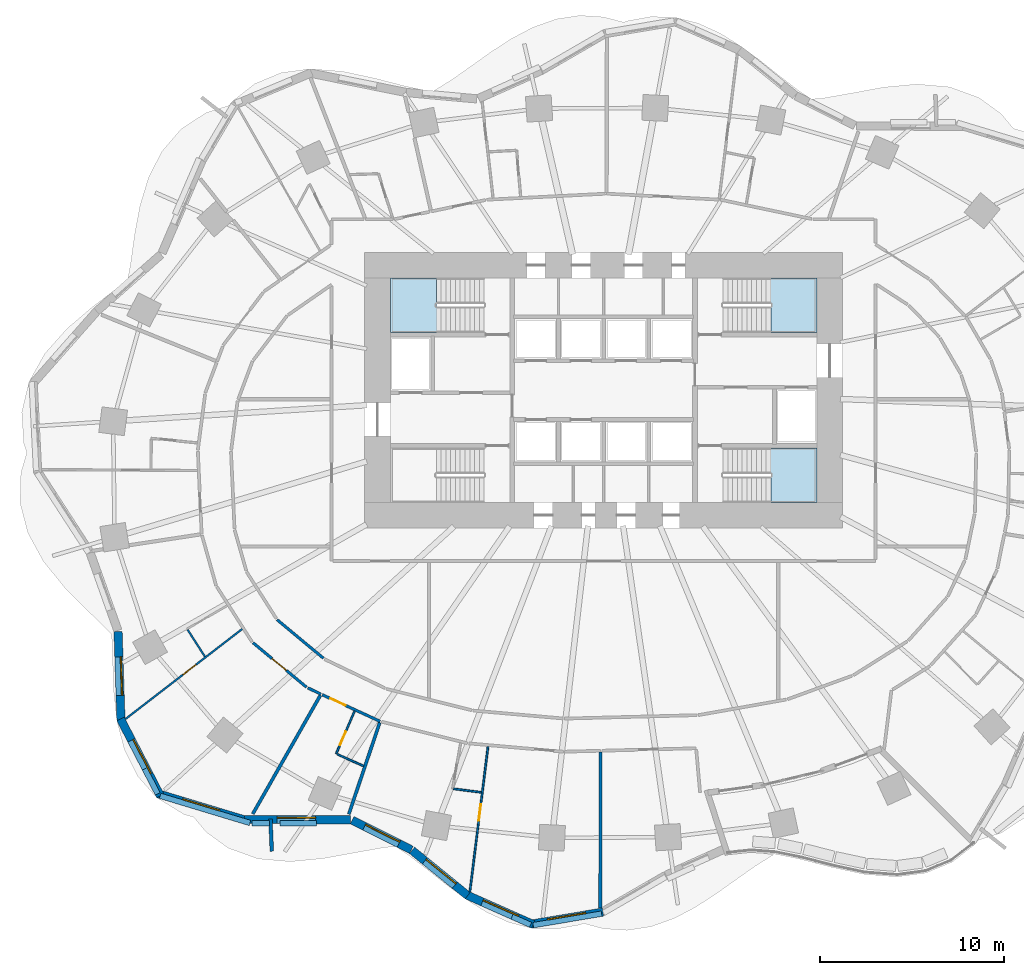
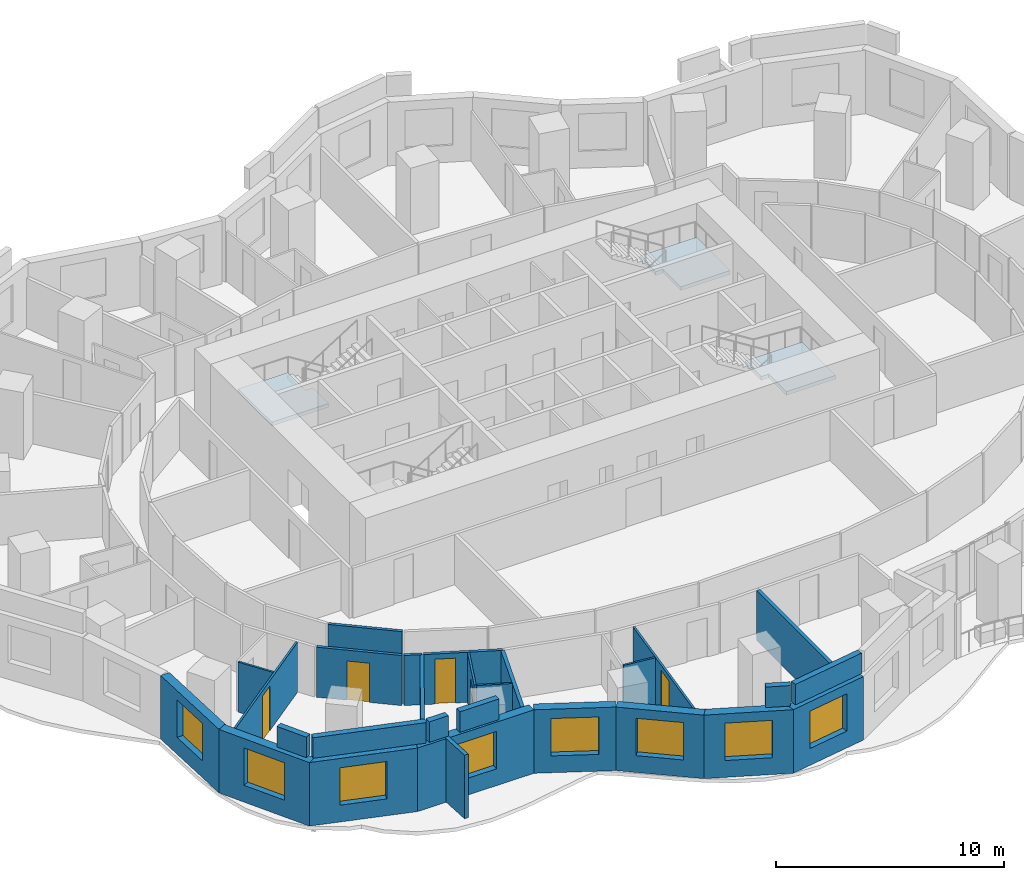
# One storey, part 4 of 14: 28 walls, 8 windows, 5 doors, 3 slabs, 13 openings, 3 elements without a shape of their own.
"""IFC4 building model written with IfcOpenShell, lengths in metres."""

from ifc_helpers import new_model, si_unit, direction, frame, frame_2d, origin, place, context, subcontext, project, spatial, polyline, rectangle, outline, extrude, material, layer, layer_set, type_object, element, fill, aggregate, save


model = new_model("IFC4")

# Units and contexts
model_context = context("Model", 3, precision=1e-05, world=origin(), true_north=direction((0.0, 1.0)))
body_context = subcontext(model_context, "Body", "Model", "MODEL_VIEW")
ifc_project = project(units=[si_unit("LENGTHUNIT", "METRE"), si_unit("AREAUNIT", "SQUARE_METRE"), si_unit("VOLUMEUNIT", "CUBIC_METRE"), si_unit("PLANEANGLEUNIT", "RADIAN"), si_unit("MASSUNIT", "GRAM", prefix="KILO")], contexts=[model_context])

# Site, building, storey
site_placement = place(None, origin())
site = spatial("IfcSite", under=ifc_project, at=site_placement, CompositionType="ELEMENT")
building_placement = place(site_placement, origin())
building = spatial("IfcBuilding", under=site, at=building_placement, Name="Rubra Terraces Tower", CompositionType="ELEMENT")
storey_placement = place(building_placement, frame((0.0, 0.0, 44.699951171875)))
storey = spatial("IfcBuildingStorey", under=building, at=storey_placement, Name="L08", CompositionType="ELEMENT", Elevation=44.699951171875)

# Stair, slab
ifc_material_1 = material(Name="Concrete C40", Category="concrete")
stair_type = type_object("IfcStairType", Name="Core stair 1400", PredefinedType="HALF_TURN_STAIR", material=ifc_material_1)
stair_1_placement = place(storey_placement, origin())
stair_1 = element("IfcStair", 1, at=stair_1_placement, inside=storey, type_object=stair_type, Name="L08 Exit stair S2", PredefinedType="HALF_TURN_STAIR")
ifc_layer_1 = layer(ifc_material_1, 0.199951171875)
ifc_layer_set_1 = layer_set([ifc_layer_1], Name="Concrete C40")
slab_type = type_object("IfcSlabType", Name="Core stair landing 200", PredefinedType="LANDING", material=ifc_layer_set_1)
slab_1_placement = place(storey_placement, frame((0.0, 0.0, 1.60009765625)))
slab_1 = element("IfcSlab", 2, at=slab_1_placement, type_object=slab_type, Name="S2 landing 1", PredefinedType="LANDING", context=body_context, shape_type="SweptSolid", body=[
    extrude(outline(polyline([(-8.719970703125, 9.050048828125), (-8.719970703125, 7.64990234375), (-9.1201171875, 7.64990234375), (-11.60009765625, 7.64990234375), (-11.60009765625, 10.60009765625), (-9.1201171875, 10.60009765625), (-9.10009765625, 10.60009765625), (-9.097900390625, 10.60009765625), (-9.097900390625, 9.199951171875), (-9.10009765625, 9.199951171875), (-9.10009765625, 9.050048828125), (-8.719970703125, 9.050048828125)])), origin(), (0.0, 0.0, 1.0), 0.199951171875),
])
aggregate(stair_1, [slab_1])

stair_2_placement = place(storey_placement, origin())
stair_2 = element("IfcStair", 3, at=stair_2_placement, inside=storey, type_object=stair_type, Name="L08 Exit stair S3", PredefinedType="HALF_TURN_STAIR")
slab_2_placement = place(storey_placement, frame((0.0, 0.0, 1.60009765625)))
slab_2 = element("IfcSlab", 4, at=slab_2_placement, type_object=slab_type, Name="S3 landing 1", PredefinedType="LANDING", context=body_context, shape_type="SweptSolid", body=[
    extrude(outline(polyline([(9.10009765625, 9.050048828125), (9.10009765625, 9.199951171875), (8.719970703125, 9.199951171875), (8.719970703125, 10.60009765625), (9.10009765625, 10.60009765625), (9.1201171875, 10.60009765625), (11.60009765625, 10.60009765625), (11.60009765625, 7.64990234375), (9.1201171875, 7.64990234375), (9.097900390625, 7.64990234375), (9.097900390625, 9.050048828125), (9.10009765625, 9.050048828125)])), origin(), (0.0, 0.0, 1.0), 0.199951171875),
])
aggregate(stair_2, [slab_2])

stair_3_placement = place(storey_placement, origin())
stair_3 = element("IfcStair", 5, at=stair_3_placement, inside=storey, type_object=stair_type, Name="L08 Exit stair S4", PredefinedType="HALF_TURN_STAIR")
slab_3_placement = place(storey_placement, frame((0.0, 0.0, 1.60009765625)))
slab_3 = element("IfcSlab", 6, at=slab_3_placement, type_object=slab_type, Name="S4 landing 1", PredefinedType="LANDING", context=body_context, shape_type="SweptSolid", body=[
    extrude(outline(polyline([(9.10009765625, -0.199951171875), (9.10009765625, -0.050048828125), (8.719970703125, -0.050048828125), (8.719970703125, 1.35009765625), (9.10009765625, 1.35009765625), (9.1201171875, 1.35009765625), (11.60009765625, 1.35009765625), (11.60009765625, -1.60009765625), (9.1201171875, -1.60009765625), (9.10009765625, -1.60009765625), (9.097900390625, -1.60009765625), (9.097900390625, -0.199951171875), (9.10009765625, -0.199951171875)])), origin(), (0.0, 0.0, 1.0), 0.199951171875),
])
aggregate(stair_3, [slab_3])

# Walls
ifc_material_2 = material(Name="Twin plasterboard on staggered steel stud, acoustic mineral wool", Category="steel")
ifc_layer_2 = layer(ifc_material_2, 0.175048828125)
ifc_layer_set_2 = layer_set([ifc_layer_2], Name="Twin plasterboard on staggered steel stud, acoustic mineral wool")
wall_type_1 = type_object("IfcWallType", Name="ACOUSTIC PARTY WALL 175", PredefinedType="PARTITIONING", material=ifc_layer_set_2)
wall_1_placement = place(storey_placement, frame((-19.08642578125, -18.5546875, 0.0), z_axis=(0.0, 0.0, 1.0), x_axis=(0.49517498555, 0.868793262914, 0.0)))
element("IfcWall", 7, at=wall_1_placement, inside=storey, type_object=wall_type_1, Name="PARTITION", PredefinedType="PARTITIONING", context=body_context, shape_type="SweptSolid", body=[
    extrude(rectangle(XDim=7.421142578125, YDim=0.175048828125, at=frame_2d((3.71044921875, 0.0))), origin(), (0.0, 0.0, 1.0), 2.679931640625),
])
wall_2_placement = place(storey_placement, frame((-13.86279296875, -18.57177734375, 0.0), z_axis=(0.0, 0.0, 1.0), x_axis=(0.32028005449, 0.947322905189, 0.0)))
element("IfcWall", 8, at=wall_2_placement, inside=storey, type_object=wall_type_1, Name="PARTITION", PredefinedType="PARTITIONING", context=body_context, shape_type="SweptSolid", body=[
    extrude(rectangle(XDim=5.255859375, YDim=0.175048828125, at=frame_2d((2.6279296875, 0.0))), origin(), (0.0, 0.0, 1.0), 2.679931640625),
])
wall_3_placement = place(storey_placement, frame((-0.17919921875, -23.686767578125, 0.0), z_axis=(0.0, 0.0, 1.0), x_axis=(0.001753677156, 0.999998462307, 0.0)))
element("IfcWall", 9, at=wall_3_placement, inside=storey, type_object=wall_type_1, Name="PARTITION", PredefinedType="PARTITIONING", context=body_context, shape_type="SweptSolid", body=[
    extrude(rectangle(XDim=8.4921875, YDim=0.175048828125, at=frame_2d((4.24609375, 0.0))), origin(), (0.0, 0.0, 1.0), 2.679931640625),
])

# Wall, opening, window
ifc_material_3 = material(Name="Brick masonry red-brown", Category="masonry")
ifc_layer_3 = layer(ifc_material_3, 0.449951171875)
ifc_layer_set_3 = layer_set([ifc_layer_3], Name="Brick masonry red-brown")
wall_type_2 = type_object("IfcWallType", Name="Brick facade wall 450", PredefinedType="SOLIDWALL", material=ifc_layer_set_3)
wall_4_placement = place(storey_placement, frame((-26.416015625, -8.6376953125, 0.0), z_axis=(0.0, 0.0, 1.0), x_axis=(0.03254979302, -0.999470115098, 0.0)))
wall_4 = element("IfcWall", 10, at=wall_4_placement, inside=storey, type_object=wall_type_2, Name="Facade wall L08 bay 23", PredefinedType="SOLIDWALL", context=body_context, shape_type="SweptSolid", body=[
    extrude(rectangle(XDim=4.845458984375, YDim=0.449951171875, at=frame_2d((2.4228515625, 0.0))), origin(), (0.0, 0.0, 1.0), 3.400146484375),
])
opening_1_placement = place(wall_4_placement, frame((1.37255859375, 0.0, 0.89990234375)))
opening_1 = element("IfcOpeningElement", 11, at=opening_1_placement, cuts=wall_4, Name="Opening W1", PredefinedType="OPENING", context=body_context, shape_type="SweptSolid", body=[
    extrude(rectangle(XDim=2.10009765625, YDim=2.0, at=frame_2d((1.050048828125, 1.0))), frame((0.0, 0.23486328125, 0.0), z_axis=(0.0, -1.0, 0.0), x_axis=(1.0, 0.0, 0.0)), (0.0, 0.0, 1.0), 0.469970703125),
])
ifc_material_4 = material(Name="Clear glass in aluminium frame", Category="aluminium")
window_type = type_object("IfcWindowType", Name="Fixed deep-set window 2100 x 2000", PartitioningType="SINGLE_PANEL", PredefinedType="WINDOW", material=ifc_material_4)
window_1_placement = place(opening_1_placement, origin())
window_1 = element("IfcWindow", 12, at=window_1_placement, inside=storey, type_object=window_type, Name="Window L08 bay 23", OverallHeight=2.0, OverallWidth=2.10009765625, PartitioningType="SINGLE_PANEL", PredefinedType="WINDOW", context=body_context, shape_type="SweptSolid", body=[
    extrude(rectangle(XDim=2.10009765625, YDim=2.0, at=frame_2d((1.050048828125, 1.0))), frame((0.0, 0.135009765625, 0.0), z_axis=(0.0, -1.0, 0.0), x_axis=(1.0, 0.0, 0.0)), (0.0, 0.0, 1.0), 0.06005859375),
])
fill(opening_1, window_1)

wall_5_placement = place(storey_placement, frame((-26.283203125, -13.390625, 0.0), z_axis=(0.0, 0.0, 1.0), x_axis=(0.459485057932, -0.888185499509, 0.0)))
wall_5 = element("IfcWall", 13, at=wall_5_placement, inside=storey, type_object=wall_type_2, Name="Facade wall L08 bay 24", PredefinedType="SOLIDWALL", context=body_context, shape_type="SweptSolid", body=[
    extrude(rectangle(XDim=4.702880859375, YDim=0.449951171875, at=frame_2d((2.3515625, 0.0))), origin(), (0.0, 0.0, 1.0), 3.400146484375),
])
opening_2_placement = place(wall_5_placement, frame((1.301513671875, 0.0, 0.89990234375)))
opening_2 = element("IfcOpeningElement", 14, at=opening_2_placement, cuts=wall_5, Name="Opening W1", PredefinedType="OPENING", context=body_context, shape_type="SweptSolid", body=[
    extrude(rectangle(XDim=2.10009765625, YDim=2.0, at=frame_2d((1.050048828125, 1.0))), frame((0.0, 0.23486328125, 0.0), z_axis=(0.0, -1.0, 0.0), x_axis=(1.0, 0.0, 0.0)), (0.0, 0.0, 1.0), 0.469970703125),
])
window_2_placement = place(opening_2_placement, origin())
window_2 = element("IfcWindow", 15, at=window_2_placement, inside=storey, type_object=window_type, Name="Window L08 bay 24", OverallHeight=2.0, OverallWidth=2.10009765625, PartitioningType="SINGLE_PANEL", PredefinedType="WINDOW", context=body_context, shape_type="SweptSolid", body=[
    extrude(rectangle(XDim=2.10009765625, YDim=2.0, at=frame_2d((1.050048828125, 1.0))), frame((0.0, 0.135009765625, 0.0), z_axis=(0.0, -1.0, 0.0), x_axis=(1.0, 0.0, 0.0)), (0.0, 0.0, 1.0), 0.06005859375),
])
fill(opening_2, window_2)

wall_6_placement = place(storey_placement, frame((-24.2568359375, -17.45556640625, 0.0), z_axis=(0.0, 0.0, 1.0), x_axis=(0.957268138294, -0.289201852359, 0.0)))
wall_6 = element("IfcWall", 16, at=wall_6_placement, inside=storey, type_object=wall_type_2, Name="Facade wall L08 bay 25", PredefinedType="SOLIDWALL", context=body_context, shape_type="SweptSolid", body=[
    extrude(rectangle(XDim=4.87939453125, YDim=0.449951171875, at=frame_2d((2.439697265625, 0.0))), origin(), (0.0, 0.0, 1.0), 3.400146484375),
])
opening_3_placement = place(wall_6_placement, frame((1.3896484375, 0.0, 0.89990234375)))
opening_3 = element("IfcOpeningElement", 17, at=opening_3_placement, cuts=wall_6, Name="Opening W1", PredefinedType="OPENING", context=body_context, shape_type="SweptSolid", body=[
    extrude(rectangle(XDim=2.10009765625, YDim=2.0, at=frame_2d((1.050048828125, 1.0))), frame((0.0, 0.23486328125, 0.0), z_axis=(0.0, -1.0, 0.0), x_axis=(1.0, 0.0, 0.0)), (0.0, 0.0, 1.0), 0.469970703125),
])
window_3_placement = place(opening_3_placement, origin())
window_3 = element("IfcWindow", 18, at=window_3_placement, inside=storey, type_object=window_type, Name="Window L08 bay 25", OverallHeight=2.0, OverallWidth=2.10009765625, PartitioningType="SINGLE_PANEL", PredefinedType="WINDOW", context=body_context, shape_type="SweptSolid", body=[
    extrude(rectangle(XDim=2.10009765625, YDim=2.0, at=frame_2d((1.050048828125, 1.0))), frame((0.0, 0.135009765625, 0.0), z_axis=(0.0, -1.0, 0.0), x_axis=(1.0, 0.0, 0.0)), (0.0, 0.0, 1.0), 0.06005859375),
])
fill(opening_3, window_3)

wall_7_placement = place(storey_placement, frame((-19.650390625, -18.85693359375, 0.0), z_axis=(0.0, 0.0, 1.0), x_axis=(0.999994750773, -0.003240127552, 0.0)))
wall_7 = element("IfcWall", 19, at=wall_7_placement, inside=storey, type_object=wall_type_2, Name="Facade wall L08 bay 26", PredefinedType="SOLIDWALL", context=body_context, shape_type="SweptSolid", body=[
    extrude(rectangle(XDim=5.877197265625, YDim=0.449951171875, at=frame_2d((2.9384765625, 0.0))), origin(), (0.0, 0.0, 1.0), 3.400146484375),
])
opening_4_placement = place(wall_7_placement, frame((1.888671875, 0.0, 0.89990234375)))
opening_4 = element("IfcOpeningElement", 20, at=opening_4_placement, cuts=wall_7, Name="Opening W1", PredefinedType="OPENING", context=body_context, shape_type="SweptSolid", body=[
    extrude(rectangle(XDim=2.10009765625, YDim=2.0, at=frame_2d((1.050048828125, 1.0))), frame((0.0, 0.23486328125, 0.0), z_axis=(0.0, -1.0, 0.0), x_axis=(1.0, 0.0, 0.0)), (0.0, 0.0, 1.0), 0.469970703125),
])
window_4_placement = place(opening_4_placement, origin())
window_4 = element("IfcWindow", 21, at=window_4_placement, inside=storey, type_object=window_type, Name="Window L08 bay 26", OverallHeight=2.0, OverallWidth=2.10009765625, PartitioningType="SINGLE_PANEL", PredefinedType="WINDOW", context=body_context, shape_type="SweptSolid", body=[
    extrude(rectangle(XDim=2.10009765625, YDim=2.0, at=frame_2d((1.050048828125, 1.0))), frame((0.0, 0.135009765625, 0.0), z_axis=(0.0, -1.0, 0.0), x_axis=(1.0, 0.0, 0.0)), (0.0, 0.0, 1.0), 0.06005859375),
])
fill(opening_4, window_4)

wall_8_placement = place(storey_placement, frame((-13.6787109375, -18.897216796875, 0.0), z_axis=(0.0, 0.0, 1.0), x_axis=(0.893502471356, -0.449058274259, 0.0)))
wall_8 = element("IfcWall", 22, at=wall_8_placement, inside=storey, type_object=wall_type_2, Name="Facade wall L08 bay 27", PredefinedType="SOLIDWALL", context=body_context, shape_type="SweptSolid", body=[
    extrude(rectangle(XDim=3.59814453125, YDim=0.449951171875, at=frame_2d((1.799072265625, 0.0))), origin(), (0.0, 0.0, 1.0), 3.400146484375),
])
opening_5_placement = place(wall_8_placement, frame((0.748779296875, 0.0, 0.89990234375)))
opening_5 = element("IfcOpeningElement", 23, at=opening_5_placement, cuts=wall_8, Name="Opening W1", PredefinedType="OPENING", context=body_context, shape_type="SweptSolid", body=[
    extrude(rectangle(XDim=2.10009765625, YDim=2.0, at=frame_2d((1.050048828125, 1.0))), frame((0.0, 0.23486328125, 0.0), z_axis=(0.0, -1.0, 0.0), x_axis=(1.0, 0.0, 0.0)), (0.0, 0.0, 1.0), 0.469970703125),
])
window_5_placement = place(opening_5_placement, origin())
window_5 = element("IfcWindow", 24, at=window_5_placement, inside=storey, type_object=window_type, Name="Window L08 bay 27", OverallHeight=2.0, OverallWidth=2.10009765625, PartitioningType="SINGLE_PANEL", PredefinedType="WINDOW", context=body_context, shape_type="SweptSolid", body=[
    extrude(rectangle(XDim=2.10009765625, YDim=2.0, at=frame_2d((1.050048828125, 1.0))), frame((0.0, 0.135009765625, 0.0), z_axis=(0.0, -1.0, 0.0), x_axis=(1.0, 0.0, 0.0)), (0.0, 0.0, 1.0), 0.06005859375),
])
fill(opening_5, window_5)

wall_9_placement = place(storey_placement, frame((-10.421875, -20.53857421875, 0.0), z_axis=(0.0, 0.0, 1.0), x_axis=(0.775999170522, -0.63073392754, 0.0)))
wall_9 = element("IfcWall", 25, at=wall_9_placement, inside=storey, type_object=wall_type_2, Name="Facade wall L08 bay 28", PredefinedType="SOLIDWALL", context=body_context, shape_type="SweptSolid", body=[
    extrude(rectangle(XDim=3.902587890625, YDim=0.449951171875, at=frame_2d((1.951171875, 0.0))), origin(), (0.0, 0.0, 1.0), 3.400146484375),
])
opening_6_placement = place(wall_9_placement, frame((0.901123046875, 0.0, 0.89990234375)))
opening_6 = element("IfcOpeningElement", 26, at=opening_6_placement, cuts=wall_9, Name="Opening W1", PredefinedType="OPENING", context=body_context, shape_type="SweptSolid", body=[
    extrude(rectangle(XDim=2.10009765625, YDim=2.0, at=frame_2d((1.050048828125, 1.0))), frame((0.0, 0.23486328125, 0.0), z_axis=(0.0, -1.0, 0.0), x_axis=(1.0, 0.0, 0.0)), (0.0, 0.0, 1.0), 0.469970703125),
])
window_6_placement = place(opening_6_placement, origin())
window_6 = element("IfcWindow", 27, at=window_6_placement, inside=storey, type_object=window_type, Name="Window L08 bay 28", OverallHeight=2.0, OverallWidth=2.10009765625, PartitioningType="SINGLE_PANEL", PredefinedType="WINDOW", context=body_context, shape_type="SweptSolid", body=[
    extrude(rectangle(XDim=2.10009765625, YDim=2.0, at=frame_2d((1.050048828125, 1.0))), frame((0.0, 0.135009765625, 0.0), z_axis=(0.0, -1.0, 0.0), x_axis=(1.0, 0.0, 0.0)), (0.0, 0.0, 1.0), 0.06005859375),
])
fill(opening_6, window_6)

wall_10_placement = place(storey_placement, frame((-7.439697265625, -22.972412109375, 0.0), z_axis=(0.0, 0.0, 1.0), x_axis=(0.914114918534, -0.405455195692, 0.0)))
wall_10 = element("IfcWall", 28, at=wall_10_placement, inside=storey, type_object=wall_type_2, Name="Facade wall L08 bay 29", PredefinedType="SOLIDWALL", context=body_context, shape_type="SweptSolid", body=[
    extrude(rectangle(XDim=3.94580078125, YDim=0.449951171875, at=frame_2d((1.972900390625, 0.0))), origin(), (0.0, 0.0, 1.0), 3.400146484375),
])
opening_7_placement = place(wall_10_placement, frame((0.923095703125, 0.0, 0.89990234375)))
opening_7 = element("IfcOpeningElement", 29, at=opening_7_placement, cuts=wall_10, Name="Opening W1", PredefinedType="OPENING", context=body_context, shape_type="SweptSolid", body=[
    extrude(rectangle(XDim=2.10009765625, YDim=2.0, at=frame_2d((1.050048828125, 1.0))), frame((0.0, 0.23486328125, 0.0), z_axis=(0.0, -1.0, 0.0), x_axis=(1.0, 0.0, 0.0)), (0.0, 0.0, 1.0), 0.469970703125),
])
window_7_placement = place(opening_7_placement, origin())
window_7 = element("IfcWindow", 30, at=window_7_placement, inside=storey, type_object=window_type, Name="Window L08 bay 29", OverallHeight=2.0, OverallWidth=2.10009765625, PartitioningType="SINGLE_PANEL", PredefinedType="WINDOW", context=body_context, shape_type="SweptSolid", body=[
    extrude(rectangle(XDim=2.10009765625, YDim=2.0, at=frame_2d((1.050048828125, 1.0))), frame((0.0, 0.135009765625, 0.0), z_axis=(0.0, -1.0, 0.0), x_axis=(1.0, 0.0, 0.0)), (0.0, 0.0, 1.0), 0.06005859375),
])
fill(opening_7, window_7)

wall_11_placement = place(storey_placement, frame((-3.96142578125, -24.55615234375, 0.0), z_axis=(0.0, 0.0, 1.0), x_axis=(0.986102211406, 0.166139786505, 0.0)))
wall_11 = element("IfcWall", 31, at=wall_11_placement, inside=storey, type_object=wall_type_2, Name="Facade wall L08 bay 30", PredefinedType="SOLIDWALL", context=body_context, shape_type="SweptSolid", body=[
    extrude(rectangle(XDim=3.9794921875, YDim=0.449951171875, at=frame_2d((1.98974609375, 0.0))), origin(), (0.0, 0.0, 1.0), 3.400146484375),
])
opening_8_placement = place(wall_11_placement, frame((0.939697265625, 0.0, 0.89990234375)))
opening_8 = element("IfcOpeningElement", 32, at=opening_8_placement, cuts=wall_11, Name="Opening W1", PredefinedType="OPENING", context=body_context, shape_type="SweptSolid", body=[
    extrude(rectangle(XDim=2.10009765625, YDim=2.0, at=frame_2d((1.050048828125, 1.0))), frame((0.0, 0.23486328125, 0.0), z_axis=(0.0, -1.0, 0.0), x_axis=(1.0, 0.0, 0.0)), (0.0, 0.0, 1.0), 0.469970703125),
])
window_8_placement = place(opening_8_placement, origin())
window_8 = element("IfcWindow", 33, at=window_8_placement, inside=storey, type_object=window_type, Name="Window L08 bay 30", OverallHeight=2.0, OverallWidth=2.10009765625, PartitioningType="SINGLE_PANEL", PredefinedType="WINDOW", context=body_context, shape_type="SweptSolid", body=[
    extrude(rectangle(XDim=2.10009765625, YDim=2.0, at=frame_2d((1.050048828125, 1.0))), frame((0.0, 0.135009765625, 0.0), z_axis=(0.0, -1.0, 0.0), x_axis=(1.0, 0.0, 0.0)), (0.0, 0.0, 1.0), 0.06005859375),
])
fill(opening_8, window_8)

# Walls
ifc_layer_4 = layer(ifc_material_3, 0.300048828125)
ifc_layer_set_4 = layer_set([ifc_layer_4], Name="Brick masonry red-brown")
wall_type_3 = type_object("IfcWallType", Name="Brick parapet 300", PredefinedType="PARAPET", material=ifc_layer_set_4)
wall_12_placement = place(storey_placement, frame((-24.96533203125, -16.100830078125, 3.60009765625), z_axis=(0.0, 0.0, 1.0), x_axis=(0.459461897951, -0.88819748048, 0.0)))
element("IfcWall", 34, at=wall_12_placement, inside=storey, type_object=wall_type_3, Name="Parapet L08 bay 24", PredefinedType="PARAPET", context=body_context, shape_type="SweptSolid", body=[
    extrude(rectangle(XDim=1.533447265625, YDim=0.300048828125, at=frame_2d((0.7666015625, 0.0))), origin(), (0.0, 0.0, 1.0), 1.099853515625),
])
wall_13_placement = place(storey_placement, frame((-24.12841796875, -17.57275390625, 3.60009765625), z_axis=(0.0, 0.0, 1.0), x_axis=(0.95727702005, -0.289172451806, 0.0)))
element("IfcWall", 35, at=wall_13_placement, inside=storey, type_object=wall_type_3, Name="Parapet L08 bay 25", PredefinedType="PARAPET", context=body_context, shape_type="SweptSolid", body=[
    extrude(rectangle(XDim=5.105224609375, YDim=0.300048828125, at=frame_2d((2.552734375, 0.0))), origin(), (0.0, 0.0, 1.0), 1.099853515625),
])
wall_14_placement = place(storey_placement, frame((-19.1396484375, -19.064208984375, 3.60009765625), z_axis=(0.0, 0.0, 1.0), x_axis=(0.999994556719, -0.003299474426, 0.0)))
element("IfcWall", 36, at=wall_14_placement, inside=storey, type_object=wall_type_3, Name="Parapet L08 bay 26", PredefinedType="PARAPET", context=body_context, shape_type="SweptSolid", body=[
    extrude(rectangle(XDim=0.9619140625, YDim=0.300048828125, at=frame_2d((0.48095703125, 0.0))), origin(), (0.0, 0.0, 1.0), 1.099853515625),
])
wall_15_placement = place(storey_placement, frame((-17.596435546875, -19.069091796875, 3.60009765625), z_axis=(0.0, 0.0, 1.0), x_axis=(0.999994488127, -0.003320198128, 0.0)))
element("IfcWall", 37, at=wall_15_placement, inside=storey, type_object=wall_type_3, Name="Parapet L08 bay 26.2", PredefinedType="PARAPET", context=body_context, shape_type="SweptSolid", body=[
    extrude(rectangle(XDim=1.9853515625, YDim=0.300048828125, at=frame_2d((0.99267578125, 0.0))), origin(), (0.0, 0.0, 1.0), 1.099853515625),
])
wall_16_placement = place(storey_placement, frame((-4.9794921875, -24.145751953125, 3.60009765625), z_axis=(0.0, 0.0, 1.0), x_axis=(0.91414047558, -0.405397571412, 0.0)))
element("IfcWall", 38, at=wall_16_placement, inside=storey, type_object=wall_type_3, Name="Parapet L08 bay 29", PredefinedType="PARAPET", context=body_context, shape_type="SweptSolid", body=[
    extrude(rectangle(XDim=1.100830078125, YDim=0.300048828125, at=frame_2d((0.55029296875, 0.0))), origin(), (0.0, 0.0, 1.0), 1.099853515625),
])
wall_17_placement = place(storey_placement, frame((-3.830322265625, -24.610107421875, 3.60009765625), z_axis=(0.0, 0.0, 1.0), x_axis=(0.986111051666, 0.166087307712, 0.0)))
element("IfcWall", 39, at=wall_17_placement, inside=storey, type_object=wall_type_3, Name="Parapet L08 bay 30", PredefinedType="PARAPET", context=body_context, shape_type="SweptSolid", body=[
    extrude(rectangle(XDim=3.77490234375, YDim=0.300048828125, at=frame_2d((1.887451171875, 0.0))), origin(), (0.0, 0.0, 1.0), 1.099853515625),
])
ifc_layer_5 = layer(ifc_material_3, 0.199951171875)
ifc_layer_set_5 = layer_set([ifc_layer_5], Name="Brick masonry red-brown")
wall_type_4 = type_object("IfcWallType", Name="Brick wind fin 200", PredefinedType="SOLIDWALL", material=ifc_layer_set_5)
wall_18_placement = place(storey_placement, frame((-18.125, -18.839111328125, 0.0), z_axis=(0.0, 0.0, 1.0), x_axis=(0.042274699855, -0.999106025281, 0.0)))
element("IfcWall", 40, at=wall_18_placement, inside=storey, type_object=wall_type_4, Name="Wind fin L08 16", PredefinedType="SOLIDWALL", context=body_context, shape_type="SweptSolid", body=[
    extrude(rectangle(XDim=1.749755859375, YDim=0.199951171875, at=frame_2d((0.875, 0.0))), origin(), (0.0, 0.0, 1.0), 3.400146484375),
])

# Wall, opening, door
ifc_material_5 = material(Name="Plasterboard on steel stud, mineral wool infill", Category="steel")
ifc_layer_6 = layer(ifc_material_5, 0.14990234375)
ifc_layer_set_6 = layer_set([ifc_layer_6], Name="Plasterboard on steel stud, mineral wool infill")
wall_type_5 = type_object("IfcWallType", Name="CORRIDOR PARTITION 150", PredefinedType="PARTITIONING", material=ifc_layer_set_6)
wall_19_placement = place(storey_placement, frame((-19.07421875, -9.2412109375, 0.0), z_axis=(0.0, 0.0, 1.0), x_axis=(0.768812565259, -0.639474189863, 0.0)))
wall_19 = element("IfcWall", 41, at=wall_19_placement, inside=storey, type_object=wall_type_5, Name="PARTITION", PredefinedType="PARTITIONING", context=body_context, shape_type="SweptSolid", body=[
    extrude(rectangle(XDim=3.788330078125, YDim=0.14990234375, at=frame_2d((1.89404296875, 0.0))), origin(), (0.0, 0.0, 1.0), 2.679931640625),
])
opening_9_placement = place(wall_19_placement, frame((1.35302734375, 0.0, 0.0)))
opening_9 = element("IfcOpeningElement", 42, at=opening_9_placement, cuts=wall_19, Name="Opening 08-118", PredefinedType="OPENING", context=body_context, shape_type="SweptSolid", body=[
    extrude(rectangle(XDim=1.0, YDim=2.10009765625, at=frame_2d((0.5, 1.050048828125))), frame((0.0, 0.0849609375, 0.0), z_axis=(0.0, -1.0, 0.0), x_axis=(1.0, 0.0, 0.0)), (0.0, 0.0, 1.0), 0.169921875),
])
ifc_material_6 = material(Name="Painted timber door leaf", Category="wood")
door_type_1 = type_object("IfcDoorType", Name="ROOM DOOR 1000 X 2100", OperationType="SINGLE_SWING_LEFT", PredefinedType="DOOR", material=ifc_material_6)
door_1_placement = place(opening_9_placement, origin())
door_1 = element("IfcDoor", 43, at=door_1_placement, inside=storey, type_object=door_type_1, Name="DOOR 08-118", OperationType="SINGLE_SWING_RIGHT", OverallHeight=2.10009765625, OverallWidth=1.0, PredefinedType="DOOR", context=body_context, shape_type="SweptSolid", body=[
    extrude(rectangle(XDim=1.0, YDim=2.10009765625, at=frame_2d((0.5, 1.050048828125))), frame((0.0, 0.02490234375, 0.0), z_axis=(0.0, -1.0, 0.0), x_axis=(1.0, 0.0, 0.0)), (0.0, 0.0, 1.0), 0.050048828125),
])
fill(opening_9, door_1)

# Wall
wall_20_placement = place(storey_placement, frame((-16.093994140625, -11.6962890625, 0.0), z_axis=(0.0, 0.0, 1.0), x_axis=(0.90135116736, -0.433088989814, 0.0)))
element("IfcWall", 44, at=wall_20_placement, inside=storey, type_object=wall_type_5, Name="PARTITION", PredefinedType="PARTITIONING", context=body_context, shape_type="SweptSolid", body=[
    extrude(rectangle(XDim=0.79833984375, YDim=0.14990234375, at=frame_2d((0.399169921875, 0.0))), origin(), (0.0, 0.0, 1.0), 2.679931640625),
])

# Wall, opening, door
wall_21_placement = place(storey_placement, frame((-15.306396484375, -12.0732421875, 0.0), z_axis=(0.0, 0.0, 1.0), x_axis=(0.908590925734, -0.417687119354, 0.0)))
wall_21 = element("IfcWall", 45, at=wall_21_placement, inside=storey, type_object=wall_type_5, Name="PARTITION", PredefinedType="PARTITIONING", context=body_context, shape_type="SweptSolid", body=[
    extrude(rectangle(XDim=3.4677734375, YDim=0.14990234375, at=frame_2d((1.73388671875, 0.0))), origin(), (0.0, 0.0, 1.0), 2.679931640625),
])
opening_10_placement = place(wall_21_placement, frame((0.49609375, 0.0, 0.0)))
opening_10 = element("IfcOpeningElement", 46, at=opening_10_placement, cuts=wall_21, Name="Opening 08-120", PredefinedType="OPENING", context=body_context, shape_type="SweptSolid", body=[
    extrude(rectangle(XDim=0.89990234375, YDim=2.39990234375, at=frame_2d((0.449951171875, 1.199951171875))), frame((0.0, 0.0849609375, 0.0), z_axis=(0.0, -1.0, 0.0), x_axis=(1.0, 0.0, 0.0)), (0.0, 0.0, 1.0), 0.169921875),
])
ifc_material_7 = material(Name="Veneered timber door leaf, fire-rated", Category="wood")
door_type_2 = type_object("IfcDoorType", Name="SUITE ENTRANCE DOOR 900 X 2400", OperationType="SINGLE_SWING_LEFT", PredefinedType="DOOR", material=ifc_material_7)
door_2_placement = place(opening_10_placement, origin())
door_2 = element("IfcDoor", 47, at=door_2_placement, inside=storey, type_object=door_type_2, Name="DOOR 08-120", OperationType="SINGLE_SWING_RIGHT", OverallHeight=2.39990234375, OverallWidth=0.89990234375, PredefinedType="DOOR", context=body_context, shape_type="SweptSolid", body=[
    extrude(rectangle(XDim=0.89990234375, YDim=2.39990234375, at=frame_2d((0.449951171875, 1.199951171875))), frame((0.0, 0.02490234375, 0.0), z_axis=(0.0, -1.0, 0.0), x_axis=(1.0, 0.0, 0.0)), (0.0, 0.0, 1.0), 0.050048828125),
])
fill(opening_10, door_2)

# Wall
wall_22_placement = place(storey_placement, frame((-15.239501953125, -10.089599609375, 0.0), z_axis=(0.0, 0.0, 1.0), x_axis=(-0.768799656378, 0.639489709341, 0.0)))
element("IfcWall", 48, at=wall_22_placement, inside=storey, type_object=wall_type_5, Name="PARTITION", PredefinedType="PARTITIONING", context=body_context, shape_type="SweptSolid", body=[
    extrude(rectangle(XDim=3.28515625, YDim=0.14990234375, at=frame_2d((1.642578125, 0.0))), origin(), (0.0, 0.0, 1.0), 2.679931640625),
])

# Wall, opening, door
ifc_material_8 = material(Name="Plasterboard on steel stud", Category="steel")
ifc_layer_7 = layer(ifc_material_8, 0.10009765625)
ifc_layer_set_7 = layer_set([ifc_layer_7], Name="Plasterboard on steel stud")
wall_type_6 = type_object("IfcWallType", Name="ROOM PARTITION 100", PredefinedType="PARTITIONING", material=ifc_layer_set_7)
wall_23_placement = place(storey_placement, frame((-26.021240234375, -13.3984375, 0.0), z_axis=(0.0, 0.0, 1.0), x_axis=(0.791898657623, 0.610652532996, 0.0)))
wall_23 = element("IfcWall", 49, at=wall_23_placement, inside=storey, type_object=wall_type_6, Name="PARTITION", PredefinedType="PARTITIONING", context=body_context, shape_type="SweptSolid", body=[
    extrude(rectangle(XDim=8.02685546875, YDim=0.10009765625, at=frame_2d((4.013427734375, 0.0))), origin(), (0.0, 0.0, 1.0), 2.679931640625),
])
opening_11_placement = place(wall_23_placement, frame((3.951904296875, 0.0, 0.0)))
opening_11 = element("IfcOpeningElement", 50, at=opening_11_placement, cuts=wall_23, Name="Opening 08-117", PredefinedType="OPENING", context=body_context, shape_type="SweptSolid", body=[
    extrude(rectangle(XDim=0.89990234375, YDim=2.39990234375, at=frame_2d((0.449951171875, 1.199951171875))), frame((0.0, 0.06005859375, 0.0), z_axis=(0.0, -1.0, 0.0), x_axis=(1.0, 0.0, 0.0)), (0.0, 0.0, 1.0), 0.1201171875),
])
door_3_placement = place(opening_11_placement, origin())
door_3 = element("IfcDoor", 51, at=door_3_placement, inside=storey, type_object=door_type_2, Name="DOOR 08-117", OperationType="SINGLE_SWING_LEFT", OverallHeight=2.39990234375, OverallWidth=0.89990234375, PredefinedType="DOOR", context=body_context, shape_type="SweptSolid", body=[
    extrude(rectangle(XDim=0.89990234375, YDim=2.39990234375, at=frame_2d((0.449951171875, 1.199951171875))), frame((0.0, 0.02490234375, 0.0), z_axis=(0.0, -1.0, 0.0), x_axis=(1.0, 0.0, 0.0)), (0.0, 0.0, 1.0), 0.050048828125),
])
fill(opening_11, door_3)

# Wall
wall_24_placement = place(storey_placement, frame((-22.634765625, -8.531005859375, 0.0), z_axis=(0.0, 0.0, 1.0), x_axis=(0.54118224554, -0.840905331837, 0.0)))
element("IfcWall", 52, at=wall_24_placement, inside=storey, type_object=wall_type_6, Name="PARTITION", PredefinedType="PARTITIONING", context=body_context, shape_type="SweptSolid", body=[
    extrude(rectangle(XDim=1.7431640625, YDim=0.10009765625, at=frame_2d((0.87158203125, 0.0))), origin(), (0.0, 0.0, 1.0), 2.679931640625),
])

# Wall, opening, door
wall_25_placement = place(storey_placement, frame((-13.548095703125, -12.964111328125, 0.0), z_axis=(0.0, 0.0, 1.0), x_axis=(-0.396147057277, -0.918187077349, 0.0)))
wall_25 = element("IfcWall", 53, at=wall_25_placement, inside=storey, type_object=wall_type_6, Name="PARTITION", PredefinedType="PARTITIONING", context=body_context, shape_type="SweptSolid", body=[
    extrude(rectangle(XDim=2.52490234375, YDim=0.10009765625, at=frame_2d((1.262451171875, 0.0))), origin(), (0.0, 0.0, 1.0), 2.679931640625),
])
opening_12_placement = place(wall_25_placement, frame((1.199951171875, 0.0, 0.0)))
opening_12 = element("IfcOpeningElement", 54, at=opening_12_placement, cuts=wall_25, Name="Opening 08-119", PredefinedType="OPENING", context=body_context, shape_type="SweptSolid", body=[
    extrude(rectangle(XDim=0.800048828125, YDim=2.10009765625, at=frame_2d((0.39990234375, 1.050048828125))), frame((0.0, 0.06005859375, 0.0), z_axis=(0.0, -1.0, 0.0), x_axis=(1.0, 0.0, 0.0)), (0.0, 0.0, 1.0), 0.1201171875),
])
door_type_3 = type_object("IfcDoorType", Name="BATHROOM DOOR 800 X 2100", OperationType="SINGLE_SWING_LEFT", PredefinedType="DOOR", material=ifc_material_6)
door_4_placement = place(opening_12_placement, origin())
door_4 = element("IfcDoor", 55, at=door_4_placement, inside=storey, type_object=door_type_3, Name="DOOR 08-119", OperationType="SINGLE_SWING_LEFT", OverallHeight=2.10009765625, OverallWidth=0.800048828125, PredefinedType="DOOR", context=body_context, shape_type="SweptSolid", body=[
    extrude(rectangle(XDim=0.800048828125, YDim=2.10009765625, at=frame_2d((0.39990234375, 1.050048828125))), frame((0.0, 0.02490234375, 0.0), z_axis=(0.0, -1.0, 0.0), x_axis=(1.0, 0.0, 0.0)), (0.0, 0.0, 1.0), 0.050048828125),
])
fill(opening_12, door_4)

# Wall
wall_26_placement = place(storey_placement, frame((-14.502685546875, -15.302978515625, 0.0), z_axis=(0.0, 0.0, 1.0), x_axis=(0.911884052512, -0.410447895323, 0.0)))
element("IfcWall", 56, at=wall_26_placement, inside=storey, type_object=wall_type_6, Name="PARTITION", PredefinedType="PARTITIONING", context=body_context, shape_type="SweptSolid", body=[
    extrude(rectangle(XDim=1.585693359375, YDim=0.10009765625, at=frame_2d((0.79296875, 0.0))), origin(), (0.0, 0.0, 1.0), 2.679931640625),
])

# Wall, opening, door
wall_27_placement = place(storey_placement, frame((-7.27490234375, -22.794921875, 0.0), z_axis=(0.0, 0.0, 1.0), x_axis=(0.123872623133, 0.992298127197, 0.0)))
wall_27 = element("IfcWall", 57, at=wall_27_placement, inside=storey, type_object=wall_type_6, Name="PARTITION", PredefinedType="PARTITIONING", context=body_context, shape_type="SweptSolid", body=[
    extrude(rectangle(XDim=7.97021484375, YDim=0.10009765625, at=frame_2d((3.985107421875, 0.0))), origin(), (0.0, 0.0, 1.0), 2.679931640625),
])
opening_13_placement = place(wall_27_placement, frame((3.89501953125, 0.0, 0.0)))
opening_13 = element("IfcOpeningElement", 58, at=opening_13_placement, cuts=wall_27, Name="Opening 08-122", PredefinedType="OPENING", context=body_context, shape_type="SweptSolid", body=[
    extrude(rectangle(XDim=0.89990234375, YDim=2.39990234375, at=frame_2d((0.449951171875, 1.199951171875))), frame((0.0, 0.06005859375, 0.0), z_axis=(0.0, -1.0, 0.0), x_axis=(1.0, 0.0, 0.0)), (0.0, 0.0, 1.0), 0.1201171875),
])
door_5_placement = place(opening_13_placement, origin())
door_5 = element("IfcDoor", 59, at=door_5_placement, inside=storey, type_object=door_type_2, Name="DOOR 08-122", OperationType="SINGLE_SWING_LEFT", OverallHeight=2.39990234375, OverallWidth=0.89990234375, PredefinedType="DOOR", context=body_context, shape_type="SweptSolid", body=[
    extrude(rectangle(XDim=0.89990234375, YDim=2.39990234375, at=frame_2d((0.449951171875, 1.199951171875))), frame((0.0, 0.02490234375, 0.0), z_axis=(0.0, -1.0, 0.0), x_axis=(1.0, 0.0, 0.0)), (0.0, 0.0, 1.0), 0.050048828125),
])
fill(opening_13, door_5)

# Wall
wall_28_placement = place(storey_placement, frame((-8.1640625, -17.189697265625, 0.0), z_axis=(0.0, 0.0, 1.0), x_axis=(0.991762801698, -0.128088036788, 0.0)))
element("IfcWall", 60, at=wall_28_placement, inside=storey, type_object=wall_type_6, Name="PARTITION", PredefinedType="PARTITIONING", context=body_context, shape_type="SweptSolid", body=[
    extrude(rectangle(XDim=1.52685546875, YDim=0.10009765625, at=frame_2d((0.763427734375, 0.0))), origin(), (0.0, 0.0, 1.0), 2.679931640625),
])

save(model, "model.ifc")
